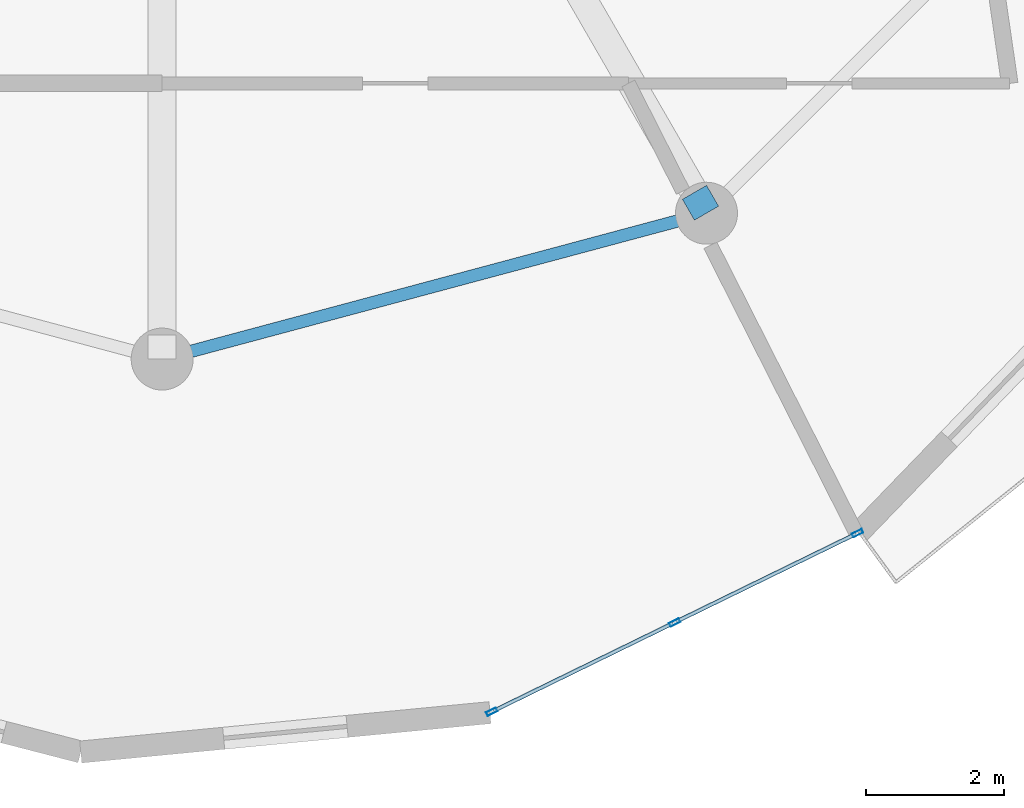
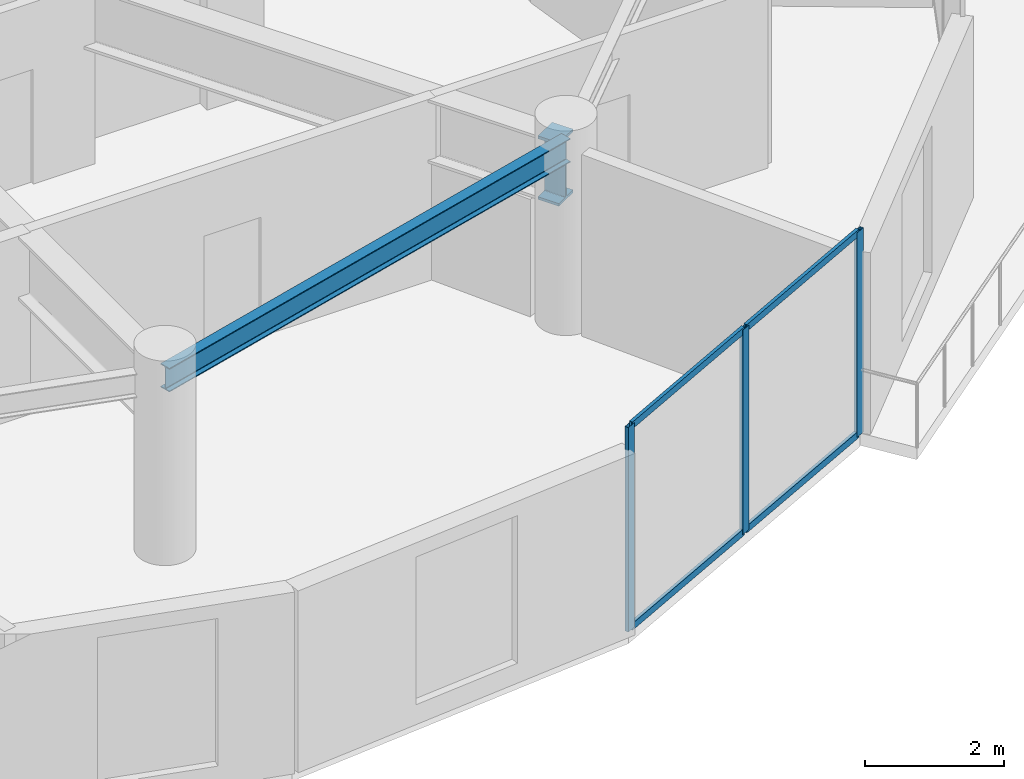
# One storey, part 4 of 22: 7 members, 2 beams, 1 element without a shape of its own.
"""IFC4 building model written with IfcOpenShell, lengths in metres."""

from ifc_helpers import new_model, si_unit, direction, frame, origin, origin_2d, place, context, subcontext, project, spatial, hollow_rectangle, i_section, extrude, source, transform, mapped, material, layer, layer_set, material_profile, profile_set, type_object, element, aggregate, save


model = new_model("IFC4")

# Units and contexts
model_context = context("Model", 3, precision=1e-05, world=origin(), true_north=direction((0.0, 1.0)))
body_context = subcontext(model_context, "Body", "Model", "MODEL_VIEW")
ifc_project = project(units=[si_unit("LENGTHUNIT", "METRE"), si_unit("AREAUNIT", "SQUARE_METRE"), si_unit("VOLUMEUNIT", "CUBIC_METRE"), si_unit("PLANEANGLEUNIT", "RADIAN"), si_unit("MASSUNIT", "GRAM", prefix="KILO")], contexts=[model_context])

# Site, building, storey
site_placement = place(None, origin())
site = spatial("IfcSite", under=ifc_project, at=site_placement, CompositionType="ELEMENT")
building_placement = place(site_placement, origin())
building = spatial("IfcBuilding", under=site, at=building_placement, Name="Solvirekh Grand Hotel", CompositionType="ELEMENT")
storey_placement = place(building_placement, frame((0.0, 0.0, 230.800048828125)))
storey = spatial("IfcBuildingStorey", under=building, at=storey_placement, Name="L60", CompositionType="ELEMENT", Elevation=230.800048828125)

# Beams
ifc_material_1 = material(Name="Steel S355", Category="steel")
ifc_material_profile_1 = material_profile(ifc_material_1, i_section(OverallWidth=0.180908203125, OverallDepth=0.4169921875, WebThickness=0.010009765625, FlangeThickness=0.01611328125, FilletRadius=0.011962890625, at=origin_2d()), Name="W410X85")
ifc_profile_set_1 = profile_set([ifc_material_profile_1], Name="Steel S355")
beam_type_1 = type_object("IfcBeamType", Name="Spandrel_Ring_W410", PredefinedType="SPANDREL", material=ifc_profile_set_1)
beam_1_placement = place(storey_placement, frame((0.0, -15.800048828125, 2.991943359375), z_axis=(0.965920601923, 0.258838541915, 0.0), x_axis=(-0.258838541915, 0.965920601923, 0.0)))
element("IfcBeam", 1, at=beam_1_placement, inside=storey, type_object=beam_type_1, Name="L60 perimeter spandrel beam 10", PredefinedType="SPANDREL", context=body_context, shape_type="SweptSolid", body=[
    extrude(i_section(OverallWidth=0.180908203125, OverallDepth=0.4169921875, WebThickness=0.010009765625, FlangeThickness=0.01611328125, FilletRadius=0.011962890625, at=origin_2d()), origin(), (0.0, 0.0, 1.0), 8.1787109375),
])
ifc_material_2 = material(Name="Steel S460", Category="steel")
ifc_material_profile_2 = material_profile(ifc_material_2, i_section(OverallWidth=0.405029296875, OverallDepth=1.117919921875, WebThickness=0.02587890625, FlangeThickness=0.048095703125, FilletRadius=0.02392578125, at=origin_2d()), Name="W1100X499")
ifc_profile_set_2 = profile_set([ifc_material_profile_2], Name="Steel S460")
beam_type_2 = type_object("IfcBeamType", Name="TransferGirder_W1100", PredefinedType="USERDEFINED", material=ifc_profile_set_2)
beam_2_placement = place(storey_placement, frame((7.72509765625, -13.3798828125, 2.640869140625), z_axis=(0.499440622861, -0.866348119543, 0.0), x_axis=(0.866348119543, 0.499440622861, 0.0)))
element("IfcBeam", 2, at=beam_2_placement, inside=storey, type_object=beam_type_2, Name="L60 outer radial transfer girder 11B", ObjectType="TRANSFER GIRDER", PredefinedType="USERDEFINED", context=body_context, shape_type="SweptSolid", body=[
    extrude(i_section(OverallWidth=0.405029296875, OverallDepth=1.117919921875, WebThickness=0.02587890625, FlangeThickness=0.048095703125, FilletRadius=0.02392578125, at=origin_2d()), origin(), (0.0, 0.0, 1.0), 0.35009765625),
])

# Curtain wall, members
ifc_material_3 = material(Name="Anodized Bronze Aluminium 6063-T6", Category="aluminium")
ifc_layer = layer(ifc_material_3, 0.159912109375)
ifc_layer_set = layer_set([ifc_layer], Name="Anodized Bronze Aluminium 6063-T6")
curtain_wall_type = type_object("IfcCurtainWallType", Name="CW_Sys4_HighZoneFlushBronzeCW", PredefinedType="NOTDEFINED", material=ifc_layer_set)
curtain_wall_placement = place(storey_placement, origin())
curtain_wall = element("IfcCurtainWall", 3, at=curtain_wall_placement, inside=storey, type_object=curtain_wall_type, Name="L60 unitised bronze-glass curtain wall CW-L60-C01", PredefinedType="NOTDEFINED")
ifc_material_profile_3 = material_profile(ifc_material_3, hollow_rectangle(XDim=0.06005859375, YDim=0.159912109375, WallThickness=0.0048828125, at=origin_2d()), Name="ALU RHS 160X60X5")
ifc_profile_set_3 = profile_set([ifc_material_profile_3], Name="Anodized Bronze Aluminium 6063-T6")
member_type_1 = type_object("IfcMemberType", Name="CWMullion_Sys4", PredefinedType="MULLION", material=ifc_profile_set_3)
shared_shape_1 = source(origin(), body_context, "Body", "SweptSolid", [
    extrude(hollow_rectangle(XDim=0.06005859375, YDim=0.159912109375, WallThickness=0.0048828125, at=origin_2d()), origin(), (0.0, 0.0, 1.0), 3.599853515625),
])
member_1_placement = place(storey_placement, frame((4.783935546875, -20.9189453125, 0.0), z_axis=(0.0, 0.0, 1.0), x_axis=(-0.438882497349, 0.898544463853, 0.0)))
member_1 = element("IfcMember", 4, at=member_1_placement, type_object=member_type_1, Name="U04 mullion 1", PredefinedType="MULLION", context=body_context, shape_type="MappedRepresentation", body=[
    mapped(shared_shape_1, transform((0.0, 0.0, 0.0), x_axis=(1.0, 0.0, 0.0), y_axis=(0.0, 1.0, 0.0), z_axis=(0.0, 0.0, 1.0), scale=1.0)),
])
member_2_placement = place(storey_placement, frame((7.43798828125, -19.62255859375, 0.0), z_axis=(0.0, 0.0, 1.0), x_axis=(-0.438882497349, 0.898544463853, 0.0)))
member_2 = element("IfcMember", 5, at=member_2_placement, type_object=member_type_1, Name="U04 mullion 2", PredefinedType="MULLION", context=body_context, shape_type="MappedRepresentation", body=[
    mapped(shared_shape_1, transform((0.0, 0.0, 0.0), x_axis=(1.0, 0.0, 0.0), y_axis=(0.0, 1.0, 0.0), z_axis=(0.0, 0.0, 1.0), scale=1.0)),
])
member_3_placement = place(storey_placement, frame((10.092041015625, -18.326171875, 0.0), z_axis=(0.0, 0.0, 1.0), x_axis=(-0.438882497349, 0.898544463853, 0.0)))
member_3 = element("IfcMember", 6, at=member_3_placement, type_object=member_type_1, Name="U04 mullion 3", PredefinedType="MULLION", context=body_context, shape_type="MappedRepresentation", body=[
    mapped(shared_shape_1, transform((0.0, 0.0, 0.0), x_axis=(1.0, 0.0, 0.0), y_axis=(0.0, 1.0, 0.0), z_axis=(0.0, 0.0, 1.0), scale=1.0)),
])
ifc_material_profile_4 = material_profile(ifc_material_3, hollow_rectangle(XDim=0.054931640625, YDim=0.1201171875, WallThickness=0.00390625, at=origin_2d()), Name="ALU RHS 120X55X4")
ifc_profile_set_4 = profile_set([ifc_material_profile_4], Name="Anodized Bronze Aluminium 6063-T6")
member_type_2 = type_object("IfcMemberType", Name="CWTransom_Sys4", PredefinedType="USERDEFINED", material=ifc_profile_set_4)
shared_shape_2 = source(origin(), body_context, "Body", "SweptSolid", [
    extrude(hollow_rectangle(XDim=0.054931640625, YDim=0.1201171875, WallThickness=0.00390625, at=origin_2d()), origin(), (0.0, 0.0, 1.0), 2.893798828125),
])
member_4_placement = place(storey_placement, frame((4.810791015625, -20.90576171875, 0.02734375), z_axis=(0.898555911082, 0.438859060131, 0.0), x_axis=(-0.438859060131, 0.898555911082, 0.0)))
member_4 = element("IfcMember", 7, at=member_4_placement, type_object=member_type_2, Name="U04 transom 1.1", ObjectType="TRANSOM", PredefinedType="USERDEFINED", context=body_context, shape_type="MappedRepresentation", body=[
    mapped(shared_shape_2, transform((0.0, 0.0, 0.0), x_axis=(1.0, 0.0, 0.0), y_axis=(0.0, 1.0, 0.0), z_axis=(0.0, 0.0, 1.0), scale=1.0)),
])
member_5_placement = place(storey_placement, frame((4.810791015625, -20.90576171875, 3.572509765625), z_axis=(0.898555911082, 0.438859060131, 0.0), x_axis=(-0.438859060131, 0.898555911082, 0.0)))
member_5 = element("IfcMember", 8, at=member_5_placement, type_object=member_type_2, Name="U04 transom 1.2", ObjectType="TRANSOM", PredefinedType="USERDEFINED", context=body_context, shape_type="MappedRepresentation", body=[
    mapped(shared_shape_2, transform((0.0, 0.0, 0.0), x_axis=(1.0, 0.0, 0.0), y_axis=(0.0, 1.0, 0.0), z_axis=(0.0, 0.0, 1.0), scale=1.0)),
])
member_6_placement = place(storey_placement, frame((7.46484375, -19.609375, 0.02734375), z_axis=(0.898555911082, 0.438859060131, 0.0), x_axis=(-0.438859060131, 0.898555911082, 0.0)))
member_6 = element("IfcMember", 9, at=member_6_placement, type_object=member_type_2, Name="U04 transom 2.1", ObjectType="TRANSOM", PredefinedType="USERDEFINED", context=body_context, shape_type="MappedRepresentation", body=[
    mapped(shared_shape_2, transform((0.0, 0.0, 0.0), x_axis=(1.0, 0.0, 0.0), y_axis=(0.0, 1.0, 0.0), z_axis=(0.0, 0.0, 1.0), scale=1.0)),
])
member_7_placement = place(storey_placement, frame((7.46484375, -19.609375, 3.572509765625), z_axis=(0.898555911082, 0.438859060131, 0.0), x_axis=(-0.438859060131, 0.898555911082, 0.0)))
member_7 = element("IfcMember", 10, at=member_7_placement, type_object=member_type_2, Name="U04 transom 2.2", ObjectType="TRANSOM", PredefinedType="USERDEFINED", context=body_context, shape_type="MappedRepresentation", body=[
    mapped(shared_shape_2, transform((0.0, 0.0, 0.0), x_axis=(1.0, 0.0, 0.0), y_axis=(0.0, 1.0, 0.0), z_axis=(0.0, 0.0, 1.0), scale=1.0)),
])
aggregate(curtain_wall, [member_1, member_2, member_3, member_4, member_5, member_6, member_7])

save(model, "model.ifc")
